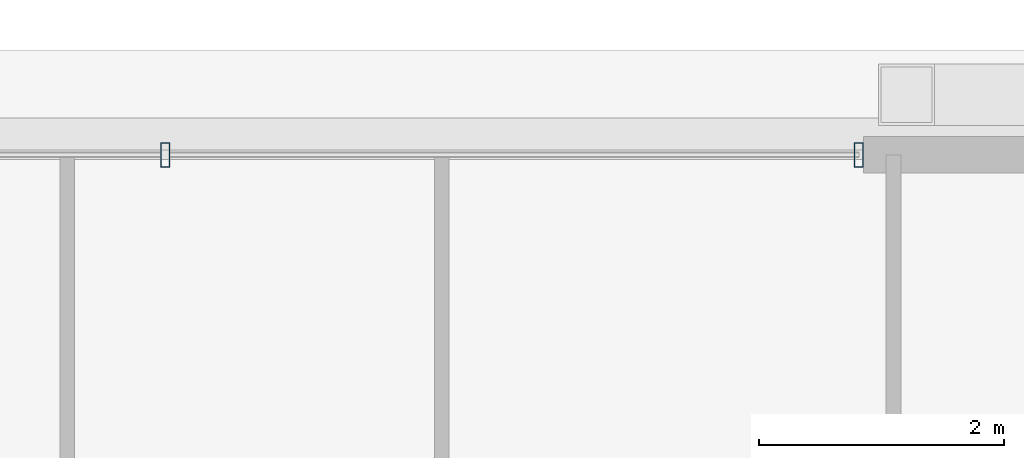
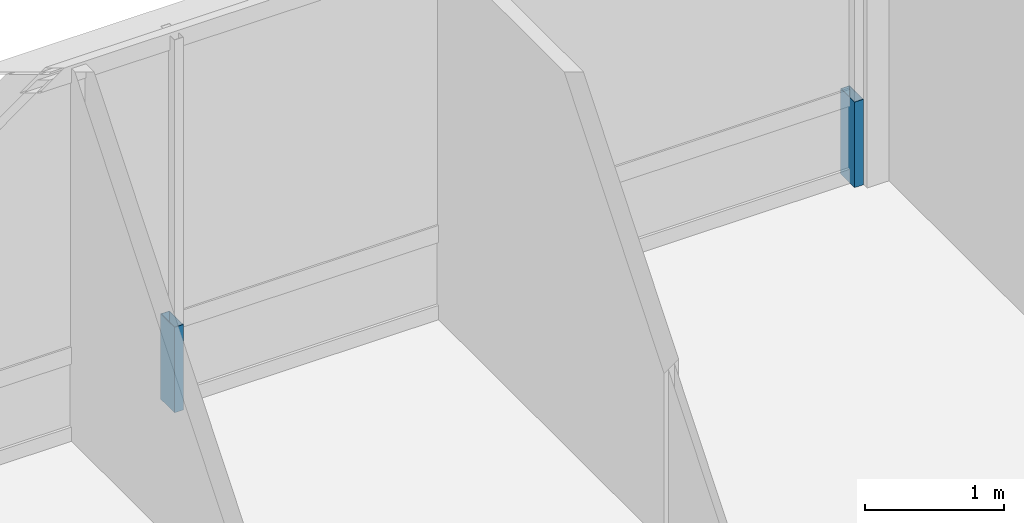
# One storey, part 28 of 35: 2 members, 1 element without a shape of its own.
"""IFC4 building model written with IfcOpenShell, lengths in metres."""

from ifc_helpers import new_model, si_unit, direction, frame, origin, origin_2d, place, context, subcontext, project, spatial, hollow_rectangle, extrude, source, transform, mapped, material, layer, layer_set, material_profile, profile_set, type_object, element, aggregate, save


model = new_model("IFC4")

# Units and contexts
model_context = context("Model", 3, precision=1e-05, world=origin(), true_north=direction((0.0, 1.0)))
body_context = subcontext(model_context, "Body", "Model", "MODEL_VIEW")
ifc_project = project(units=[si_unit("LENGTHUNIT", "METRE"), si_unit("AREAUNIT", "SQUARE_METRE"), si_unit("VOLUMEUNIT", "CUBIC_METRE"), si_unit("PLANEANGLEUNIT", "RADIAN"), si_unit("MASSUNIT", "GRAM", prefix="KILO"), si_unit("THERMODYNAMICTEMPERATUREUNIT", "KELVIN"), si_unit("POWERUNIT", "WATT")], contexts=[model_context])

# Site, building, storey
site_placement = place(None, origin())
site = spatial("IfcSite", under=ifc_project, at=site_placement, CompositionType="ELEMENT")
building_placement = place(site_placement, origin())
building = spatial("IfcBuilding", under=site, at=building_placement, Name="Yuzanri Waterfront Tower", CompositionType="ELEMENT")
storey_placement = place(building_placement, frame((0.0, 0.0, 285.60009765625)))
storey = spatial("IfcBuildingStorey", under=building, at=storey_placement, Name="L76", CompositionType="ELEMENT", Elevation=285.60009765625)

# Curtain wall, members
ifc_material_1 = material(Name="Anodized Architectural Bronze", Category="metal")
ifc_layer = layer(ifc_material_1, 0.159912109375)
ifc_layer_set = layer_set([ifc_layer], Name="Anodized Architectural Bronze")
curtain_wall_type = type_object("IfcCurtainWallType", Name="Anodized Bronze High-Rise Penthouse High-Wind Unitized Curtain Wall 6900", PredefinedType="NOTDEFINED", material=ifc_layer_set)
curtain_wall_placement = place(storey_placement, origin())
curtain_wall = element("IfcCurtainWall", 1, at=curtain_wall_placement, inside=storey, type_object=curtain_wall_type, Name="L76 Curtain Wall CW-L76-NR", PredefinedType="NOTDEFINED")
ifc_material_2 = material(Name="Anodized Architectural Bronze", Category="metal")
ifc_material_profile = material_profile(ifc_material_2, hollow_rectangle(XDim=0.074951171875, YDim=0.199951171875, WallThickness=0.00390625, at=origin_2d()), Name="CWM 75x200")
ifc_profile_set = profile_set([ifc_material_profile], Name="Anodized Architectural Bronze")
member_type = type_object("IfcMemberType", Name="Anodized Bronze Primary Curtain-Wall Mullion 75x200", PredefinedType="MULLION", material=ifc_profile_set)
shared_shape = source(origin(), body_context, "Body", "SweptSolid", [
    extrude(hollow_rectangle(XDim=0.074951171875, YDim=0.199951171875, WallThickness=0.00390625, at=origin_2d()), origin(), (0.0, 0.0, 1.0), 0.751953125),
])
member_1_placement = place(storey_placement, frame((43.050048828125, 44.75, 0.0), z_axis=(0.0, 0.0, 1.0), x_axis=(1.0, 0.0, 0.0)))
member_1 = element("IfcMember", 2, at=member_1_placement, type_object=member_type, Name="CW-L76-NR Lower Mullion 01", PredefinedType="MULLION", context=body_context, shape_type="MappedRepresentation", body=[
    mapped(shared_shape, transform((0.0, 0.0, 0.0), scale=1.0)),
])
member_2_placement = place(storey_placement, frame((48.7099609375, 44.75, 0.0), z_axis=(0.0, 0.0, 1.0), x_axis=(1.0, 0.0, 0.0)))
member_2 = element("IfcMember", 3, at=member_2_placement, type_object=member_type, Name="CW-L76-NR Lower Mullion 02", PredefinedType="MULLION", context=body_context, shape_type="MappedRepresentation", body=[
    mapped(shared_shape, transform((0.0, 0.0, 0.0), scale=1.0)),
])
aggregate(curtain_wall, [member_1, member_2])

save(model, "model.ifc")
